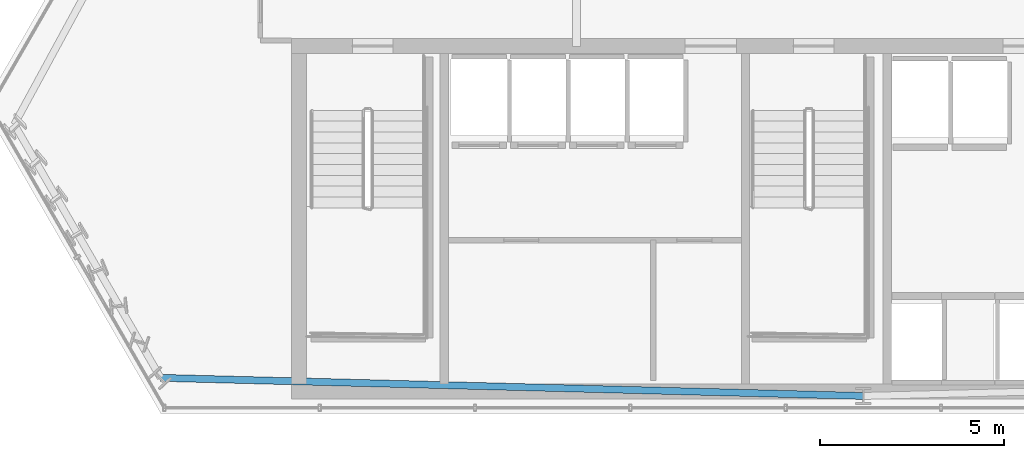
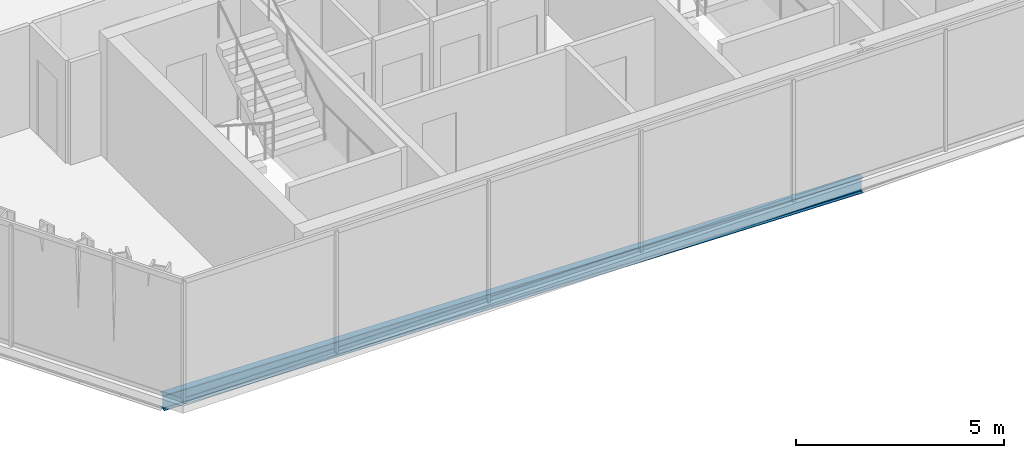
# One storey, part 3 of 33: 1 beam.
"""IFC4 building model written with IfcOpenShell, lengths in metres."""

from ifc_helpers import new_model, si_unit, direction, frame, origin, origin_2d, place, context, subcontext, project, spatial, i_section, extrude, material, material_profile, profile_set, type_object, element, save


model = new_model("IFC4")

# Units and contexts
model_context = context("Model", 3, precision=1e-05, world=origin(), true_north=direction((0.0, 1.0)))
body_context = subcontext(model_context, "Body", "Model", "MODEL_VIEW")
ifc_project = project(units=[si_unit("LENGTHUNIT", "METRE"), si_unit("AREAUNIT", "SQUARE_METRE"), si_unit("VOLUMEUNIT", "CUBIC_METRE"), si_unit("PLANEANGLEUNIT", "RADIAN"), si_unit("MASSUNIT", "GRAM", prefix="KILO")], contexts=[model_context])

# Site, building, storey
site_placement = place(None, origin())
site = spatial("IfcSite", under=ifc_project, at=site_placement, CompositionType="ELEMENT")
building_placement = place(site_placement, origin())
building = spatial("IfcBuilding", under=site, at=building_placement, Name="Ndaravel Arena Tower", CompositionType="ELEMENT")
storey_placement = place(building_placement, frame((0.0, 0.0, 187.800048828125)))
storey = spatial("IfcBuildingStorey", under=building, at=storey_placement, Name="L45", CompositionType="ELEMENT", Elevation=187.800048828125)

# Beam
ifc_material = material(Name="Steel S355", Category="steel")
ifc_material_profile = material_profile(ifc_material, i_section(OverallWidth=0.18994140625, OverallDepth=0.449951171875, WebThickness=0.009521484375, FlangeThickness=0.0146484375, FilletRadius=0.02099609375, at=origin_2d()), Name="IPE 450")
ifc_profile_set = profile_set([ifc_material_profile], Name="Steel S355")
beam_type = type_object("IfcBeamType", Name="BM-SPAN-IPE450", PredefinedType="SPANDREL", material=ifc_profile_set)
beam_placement = place(storey_placement, frame((22.886474609375, 5.972412109375, -0.445068359375), z_axis=(0.999668285715, -0.025754971098, 0.0), x_axis=(0.025754971098, 0.999668285715, 0.0)))
element("IfcBeam", 1, at=beam_placement, inside=storey, type_object=beam_type, Name="L45 Perimeter Spandrel Beam SP-27", PredefinedType="SPANDREL", context=body_context, shape_type="SweptSolid", body=[
    extrude(i_section(OverallWidth=0.18994140625, OverallDepth=0.449951171875, WebThickness=0.009521484375, FlangeThickness=0.0146484375, FilletRadius=0.02099609375, at=origin_2d()), origin(), (0.0, 0.0, 1.0), 19.119873046875),
])

save(model, "model.ifc")
